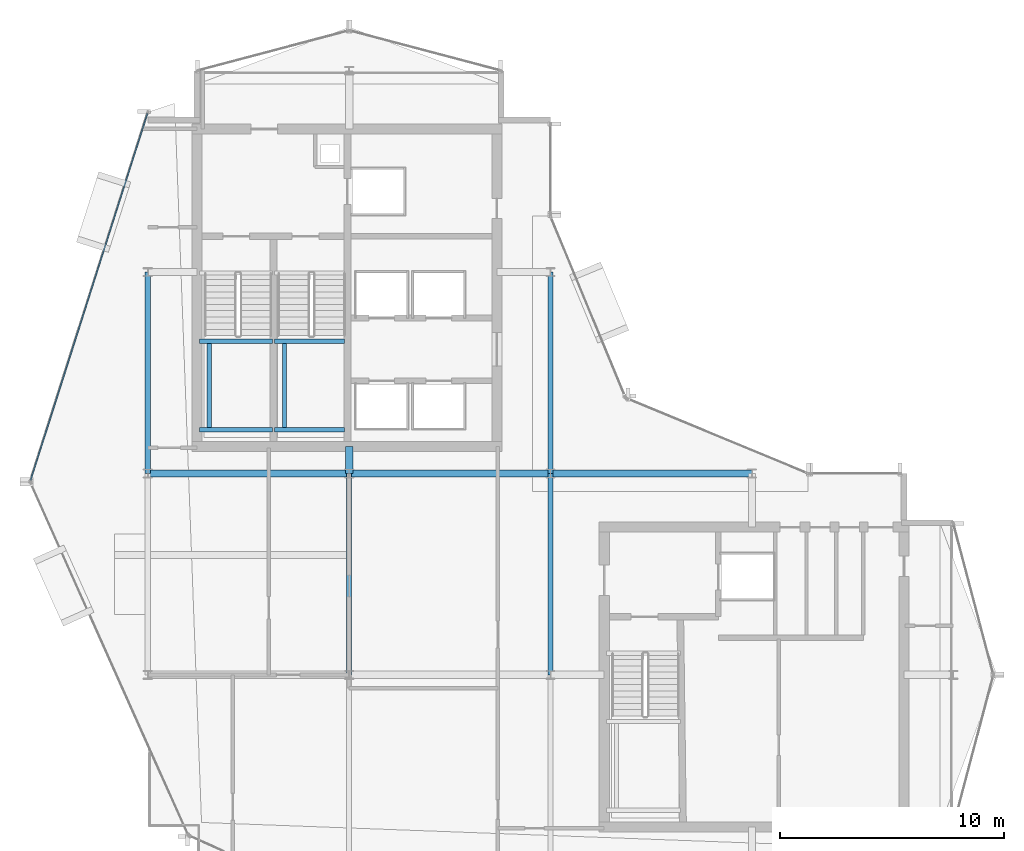
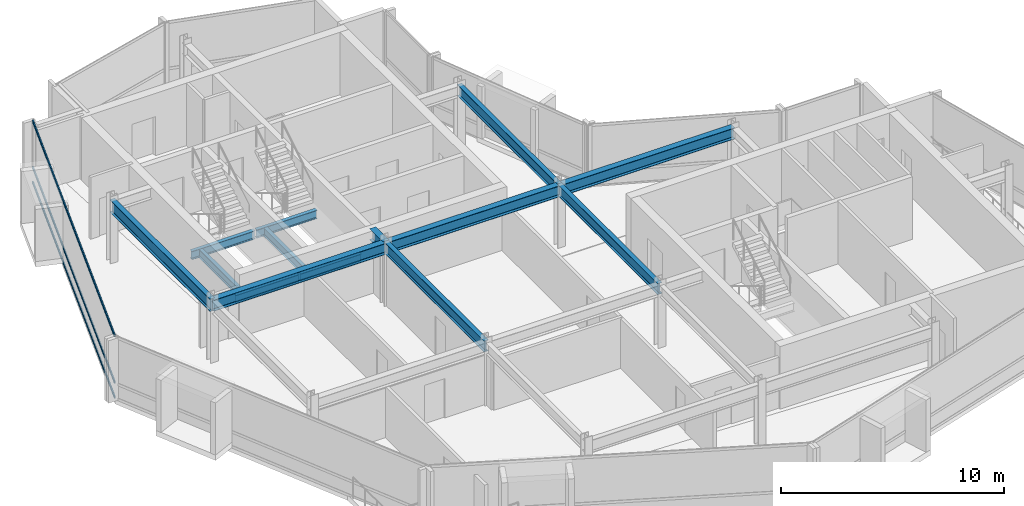
# One storey, part 7 of 19: 14 beams, 3 members, 1 element without a shape of its own.
"""IFC4 building model written with IfcOpenShell, lengths in metres."""

import ifcopenshell
import ifcopenshell.guid

model = None  # the IFC model being written
_history = None  # IfcOwnerHistory: only IFC2X3 demands one
_inside = {}  # id of a spatial element -> (the spatial element, [elements in it])
_under = {}  # id of a project, library or spatial element -> (it, [spatial elements below it])
_declared = {}  # id of a project -> (the project, [libraries it declares])
_typed = {}  # id of a type object -> (the type object, [elements of that type])
_made_of = {}  # id of a material, layer set ... -> (it, [elements and type objects made of it])


def new_model(schema):
    """Start an empty IFC model of exactly this schema.

    Asked for "IFC4X3", IfcOpenShell would pick the latest addendum, in which some entities
    have other attributes; the version numbers below select the first issue.
    IFC2X3 requires an IfcOwnerHistory on every rooted entity: one is made here for all.
    """
    global model, _history
    if schema == "IFC4X3":
        model = ifcopenshell.file(schema_version=(4, 3, 0, 0))
    else:
        model = ifcopenshell.file(schema=schema)
    _inside.clear()
    _under.clear()
    _declared.clear()
    _typed.clear()
    _made_of.clear()
    _history = None
    if model.schema == "IFC2X3":
        org = make("IfcOrganization", Name="unknown")
        user = make(
            "IfcPersonAndOrganization",
            ThePerson=make("IfcPerson", FamilyName="unknown"),
            TheOrganization=org,
        )
        app = make(
            "IfcApplication",
            ApplicationDeveloper=org,
            Version="unknown",
            ApplicationFullName="unknown",
            ApplicationIdentifier="unknown",
        )
        _history = make(
            "IfcOwnerHistory",
            OwningUser=user,
            OwningApplication=app,
            ChangeAction="ADDED",
            CreationDate=0,
        )
    return model


def make(cls, **values):
    """One entity of the class cls with the attributes given. An attribute that is None is left unset."""
    return model.create_entity(
        cls, **{name: value for name, value in values.items() if value is not None}
    )


def rooted(cls, **values):
    """An entity with a GlobalId (a new one), such as an element, a storey or a relation."""
    return make(cls, GlobalId=ifcopenshell.guid.new(), OwnerHistory=_history, **values)


def si_unit(unit_type, name, prefix=None):
    """IfcSIUnit, for example si_unit("LENGTHUNIT", "METRE", prefix="MILLI")."""
    return make("IfcSIUnit", UnitType=unit_type, Prefix=prefix, Name=name)


def assignment(units):
    """IfcUnitAssignment: the units of a project."""
    return None if units is None else make("IfcUnitAssignment", Units=units)


def point(xyz):
    """IfcCartesianPoint."""
    return None if xyz is None else make("IfcCartesianPoint", Coordinates=xyz)


def direction(xyz):
    """IfcDirection."""
    return None if xyz is None else make("IfcDirection", DirectionRatios=xyz)


def frame(location, z_axis=None, x_axis=None):
    """IfcAxis2Placement3D, a coordinate frame: its origin and axes. An axis left out is left unset."""
    return make(
        "IfcAxis2Placement3D",
        Location=point(location),
        Axis=direction(z_axis),
        RefDirection=direction(x_axis),
    )


def frame_2d(location, x_axis=None):
    """IfcAxis2Placement2D, a coordinate frame in the plane: its origin and x axis."""
    return make(
        "IfcAxis2Placement2D", Location=point(location), RefDirection=direction(x_axis)
    )


def origin():
    """The frame at (0, 0, 0) with its axes left unset."""
    return frame((0.0, 0.0, 0.0))


def origin_2d():
    """The frame at (0, 0) in the plane with its x axis left unset."""
    return frame_2d((0.0, 0.0))


def place(relative_to, where):
    """IfcLocalPlacement: puts the frame where relative to a parent placement (None: the world)."""
    return make(
        "IfcLocalPlacement", PlacementRelTo=relative_to, RelativePlacement=where
    )


def context(
    kind, dimensions, precision=None, world=None, true_north=None, identifier=None
):
    """IfcGeometricRepresentationContext, for example the 3D "Model" context."""
    return make(
        "IfcGeometricRepresentationContext",
        ContextIdentifier=identifier,
        ContextType=kind,
        CoordinateSpaceDimension=dimensions,
        Precision=precision,
        WorldCoordinateSystem=world,
        TrueNorth=true_north,
    )


def subcontext(parent, identifier, kind, view, scale=None):
    """IfcGeometricRepresentationSubContext, for example "Body" below "Model"."""
    return make(
        "IfcGeometricRepresentationSubContext",
        ContextIdentifier=identifier,
        ContextType=kind,
        ParentContext=parent,
        TargetScale=scale,
        TargetView=view,
    )


def project(units=None, contexts=None):
    """IfcProject with its units and contexts."""
    return rooted(
        "IfcProject",
        Name="project",
        RepresentationContexts=contexts,
        UnitsInContext=assignment(units),
    )


def spatial(cls, under=None, at=None, **own):
    """A site, building, storey or space (cls), placed at a placement, below another one or the project."""
    s = rooted(cls, ObjectPlacement=at, **own)
    if under is not None:
        _under.setdefault(under.id(), (under, []))[1].append(s)
    return s


def profile(cls, at=None, kind="AREA", **sizes):
    """A parametric profile (cls). Its sizes go by their IFC names, for example OverallWidth=200.0."""
    return make(cls, ProfileType=kind, Position=at, **sizes)


def hollow_rectangle(**sizes):
    """IfcRectangleHollowProfileDef."""
    return profile("IfcRectangleHollowProfileDef", **sizes)


def i_section(**sizes):
    """IfcIShapeProfileDef."""
    return profile("IfcIShapeProfileDef", **sizes)


def extrude(swept, where, along, depth):
    """IfcExtrudedAreaSolid: the profile swept, set in the frame where, extruded along a direction by depth."""
    return make(
        "IfcExtrudedAreaSolid",
        SweptArea=swept,
        Position=where,
        ExtrudedDirection=direction(along),
        Depth=depth,
    )


def shape(context_of_items, identifier, shape_type, items):
    """IfcShapeRepresentation: the items that make up one representation, for example the "Body"."""
    return make(
        "IfcShapeRepresentation",
        ContextOfItems=context_of_items,
        RepresentationIdentifier=identifier,
        RepresentationType=shape_type,
        Items=items,
    )


def material(Name=None, Category=None):
    """IfcMaterial."""
    return make("IfcMaterial", Name=Name, Category=Category)


def layer(
    of_material, thickness, ventilated=None, Name=None, Category=None, Priority=None
):
    """IfcMaterialLayer: one layer of a wall or slab, of a material (None: an air gap)."""
    return make(
        "IfcMaterialLayer",
        Material=of_material,
        LayerThickness=thickness,
        IsVentilated=ventilated,
        Name=Name,
        Category=Category,
        Priority=Priority,
    )


def layer_set(layers, Name=None):
    """IfcMaterialLayerSet."""
    return make("IfcMaterialLayerSet", MaterialLayers=layers, LayerSetName=Name)


def material_profile(
    of_material, cross_section, Name=None, Category=None, Priority=None
):
    """IfcMaterialProfile: a cross section and its material."""
    return make(
        "IfcMaterialProfile",
        Name=Name,
        Material=of_material,
        Profile=cross_section,
        Priority=Priority,
        Category=Category,
    )


def profile_set(profiles, Name=None, composite=None):
    """IfcMaterialProfileSet."""
    return make(
        "IfcMaterialProfileSet",
        Name=Name,
        MaterialProfiles=profiles,
        CompositeProfile=composite,
    )


def made_of(thing, what):
    """Note that an element or type object is made of a material, layer set ...; save() writes the relation."""
    if what is not None:
        _made_of.setdefault(what.id(), (what, []))[1].append(thing)
    return thing


def type_object(cls, material=None, **own):
    """A type object (cls), such as IfcWallType, which elements share."""
    return made_of(rooted(cls, **own), material)


def element(
    cls,
    number,
    at=None,
    inside=None,
    cuts=None,
    type_object=None,
    material=None,
    context=None,
    identifier="Body",
    shape_type=None,
    held_by="IfcProductDefinitionShape",
    body=None,
    shapes=None,
    **own,
):
    """One element of the class cls, such as IfcWall. Its Tag is "e" and its number.

    at: its placement. inside: the storey or other place that contains it. cuts: it is an
    opening in that element (IfcRelVoidsElement). A single representation is given by context,
    identifier, shape_type and body (its items); several are given by shapes. held_by: the class
    of the entity that holds the representations. save() writes the other relations.
    """
    e = rooted(cls, Tag="e%d" % number, ObjectPlacement=at, **own)
    if body is not None:
        shapes = [shape(context, identifier, shape_type, body)]
    if shapes is not None:
        e.Representation = make(held_by, Representations=shapes)
    if inside is not None:
        _inside.setdefault(inside.id(), (inside, []))[1].append(e)
    if cuts is not None:
        rooted(
            "IfcRelVoidsElement", RelatingBuildingElement=cuts, RelatedOpeningElement=e
        )
    if type_object is not None:
        _typed.setdefault(type_object.id(), (type_object, []))[1].append(e)
    return made_of(e, material)


def aggregate(whole, parts):
    """IfcRelAggregates: a whole, such as a stair, and the parts it consists of."""
    return rooted("IfcRelAggregates", RelatingObject=whole, RelatedObjects=parts)


def save(model, path):
    """Write the relations noted so far, then the file.

    IfcRelAggregates (storeys below a building ...), IfcRelContainedInSpatialStructure (elements
    in a storey), IfcRelDefinesByType, IfcRelAssociatesMaterial and IfcRelDeclares: one each for
    every whole, place, type object, material and project.
    """
    for whole, parts in _under.values():
        aggregate(whole, parts)
    for where, things in _inside.values():
        rooted(
            "IfcRelContainedInSpatialStructure",
            RelatedElements=things,
            RelatingStructure=where,
        )
    for kind, things in _typed.values():
        rooted("IfcRelDefinesByType", RelatedObjects=things, RelatingType=kind)
    for what, things in _made_of.values():
        rooted("IfcRelAssociatesMaterial", RelatedObjects=things, RelatingMaterial=what)
    for by, libraries in _declared.values():
        rooted("IfcRelDeclares", RelatingContext=by, RelatedDefinitions=libraries)
    model.write(path)


model = new_model("IFC4")

# Units and contexts
model_context = context("Model", 3, precision=1e-05, world=origin(), true_north=direction((0.0, 1.0)))
body_context = subcontext(model_context, "Body", "Model", "MODEL_VIEW")
ifc_project = project(units=[si_unit("LENGTHUNIT", "METRE"), si_unit("AREAUNIT", "SQUARE_METRE"), si_unit("VOLUMEUNIT", "CUBIC_METRE"), si_unit("PLANEANGLEUNIT", "RADIAN"), si_unit("MASSUNIT", "GRAM", prefix="KILO")], contexts=[model_context])

# Site, building, storey
site_placement = place(None, origin())
site = spatial("IfcSite", under=ifc_project, at=site_placement, CompositionType="ELEMENT")
building_placement = place(site_placement, origin())
building = spatial("IfcBuilding", under=site, at=building_placement, Name="Solvaryn Broadcast Tower", CompositionType="ELEMENT")
storey_placement = place(building_placement, frame((0.0, 0.0, 270.39990234375)))
storey = spatial("IfcBuildingStorey", under=building, at=storey_placement, Name="L68", CompositionType="ELEMENT", Elevation=270.39990234375)

# Beams
ifc_material_1 = material(Name="Steel ASTM A992 Grade 50", Category="steel")
ifc_material_profile_1 = material_profile(ifc_material_1, i_section(OverallWidth=0.323974609375, OverallDepth=0.611083984375, WebThickness=0.0126953125, FlangeThickness=0.01904296875, FilletRadius=0.014892578125, at=origin_2d()))
ifc_profile_set_1 = profile_set([ifc_material_profile_1], Name="Steel ASTM A992 Grade 50")
beam_type_1 = type_object("IfcBeamType", Name="BM-B1-W24X104", PredefinedType="BEAM", material=ifc_profile_set_1)
for number, where, z_axis, x_axis, name in (
    (1, (9.0, 27.0, 3.114501953125), (1.0, 0.0, 0.0), (0.0, 1.0, 0.0), "L68 Primary Beam X (9-18 @ Y=27)"),
    (2, (18.0, 27.0, 3.114501953125), (1.0, 0.0, 0.0), (0.0, 1.0, 0.0), "L68 Primary Beam X (18-27 @ Y=27)"),
    (3, (27.0, 27.0, 3.114501953125), (1.0, 0.0, 0.0), (0.0, 1.0, 0.0), "L68 Primary Beam X (27-36 @ Y=27)"),
):
    element("IfcBeam", number, at=place(storey_placement, frame(where, z_axis=z_axis, x_axis=x_axis)), inside=storey, type_object=beam_type_1, Name=name, PredefinedType="BEAM", context=body_context, shape_type="SweptSolid", body=[
        extrude(i_section(OverallWidth=0.323974609375, OverallDepth=0.611083984375, WebThickness=0.0126953125, FlangeThickness=0.01904296875, FilletRadius=0.014892578125, at=origin_2d()), origin(), (0.0, 0.0, 1.0), 9.0),
    ])
beam_1_placement = place(storey_placement, frame((18.0, 27.0, 3.114501953125), z_axis=(0.0, 1.0, 0.0), x_axis=(-1.0, 0.0, 0.0)))
element("IfcBeam", 4, at=beam_1_placement, inside=storey, type_object=beam_type_1, Name="L68 Core Tie Beam CTW4", PredefinedType="BEAM", context=body_context, shape_type="SweptSolid", body=[
    extrude(i_section(OverallWidth=0.323974609375, OverallDepth=0.611083984375, WebThickness=0.0126953125, FlangeThickness=0.01904296875, FilletRadius=0.014892578125, at=origin_2d()), origin(), (0.0, 0.0, 1.0), 1.199951171875),
])
ifc_material_2 = material(Name="Steel ASTM A992 Grade 50", Category="steel")
ifc_material_profile_2 = material_profile(ifc_material_2, i_section(OverallWidth=0.22802734375, OverallDepth=0.60791015625, WebThickness=0.01123046875, FlangeThickness=0.017333984375, FilletRadius=0.014892578125, at=origin_2d()))
ifc_profile_set_2 = profile_set([ifc_material_profile_2], Name="Steel ASTM A992 Grade 50")
beam_type_2 = type_object("IfcBeamType", Name="BM-B2-W24X76", PredefinedType="BEAM", material=ifc_profile_set_2)
for number, where, z_axis, x_axis, name in (
    (5, (18.0, 18.0, 3.1162109375), (0.0, 1.0, 0.0), (-1.0, 0.0, 0.0), "L68 Primary Beam Y (18-27 @ X=18)"),
    (6, (27.0, 18.0, 3.1162109375), (0.0, 1.0, 0.0), (-1.0, 0.0, 0.0), "L68 Primary Beam Y (18-27 @ X=27)"),
    (7, (27.0, 27.0, 3.1162109375), (0.0, 1.0, 0.0), (-1.0, 0.0, 0.0), "L68 Primary Beam Y (27-36 @ X=27)"),
):
    element("IfcBeam", number, at=place(storey_placement, frame(where, z_axis=z_axis, x_axis=x_axis)), inside=storey, type_object=beam_type_2, Name=name, PredefinedType="BEAM", context=body_context, shape_type="SweptSolid", body=[
        extrude(i_section(OverallWidth=0.22802734375, OverallDepth=0.60791015625, WebThickness=0.01123046875, FlangeThickness=0.017333984375, FilletRadius=0.014892578125, at=origin_2d()), origin(), (0.0, 0.0, 1.0), 9.0),
    ])
ifc_material_3 = material(Name="Steel ASTM A992 Grade 50", Category="steel")
ifc_material_profile_3 = material_profile(ifc_material_3, i_section(OverallWidth=0.18994140625, OverallDepth=0.45703125, WebThickness=0.009033203125, FlangeThickness=0.014404296875, FilletRadius=0.011962890625, at=origin_2d()))
ifc_profile_set_3 = profile_set([ifc_material_profile_3], Name="Steel ASTM A992 Grade 50")
beam_type_3 = type_object("IfcBeamType", Name="BM-B4-W18X50", PredefinedType="BEAM", material=ifc_profile_set_3)
for number, where, z_axis, x_axis, name in (
    (8, (11.300048828125, 28.949951171875, 1.421630859375), (1.0, 0.0, 0.0), (0.0, 1.0, 0.0), "L68 ST1 Landing Support Beam 1A"),
    (9, (11.300048828125, 32.909912109375, 1.421630859375), (1.0, 0.0, 0.0), (0.0, 1.0, 0.0), "L68 ST1 Landing Support Beam 1B"),
):
    element("IfcBeam", number, at=place(storey_placement, frame(where, z_axis=z_axis, x_axis=x_axis)), inside=storey, type_object=beam_type_3, Name=name, PredefinedType="BEAM", context=body_context, shape_type="SweptSolid", body=[
        extrude(i_section(OverallWidth=0.18994140625, OverallDepth=0.45703125, WebThickness=0.009033203125, FlangeThickness=0.014404296875, FilletRadius=0.011962890625, at=origin_2d()), origin(), (0.0, 0.0, 1.0), 3.280029296875),
    ])
beam_2_placement = place(storey_placement, frame((11.75, 28.949951171875, 1.421630859375), z_axis=(0.0, 1.0, 0.0), x_axis=(-1.0, 0.0, 0.0)))
element("IfcBeam", 10, at=beam_2_placement, inside=storey, type_object=beam_type_3, Name="L68 ST1 Landing Cross Stringer 1C", PredefinedType="BEAM", context=body_context, shape_type="SweptSolid", body=[
    extrude(i_section(OverallWidth=0.18994140625, OverallDepth=0.45703125, WebThickness=0.009033203125, FlangeThickness=0.014404296875, FilletRadius=0.011962890625, at=origin_2d()), origin(), (0.0, 0.0, 1.0), 3.9599609375),
])
for number, where, z_axis, x_axis, name in (
    (11, (14.659912109375, 28.949951171875, 1.421630859375), (1.0, 0.0, 0.0), (0.0, 1.0, 0.0), "L68 ST2 Landing Support Beam 1A"),
    (12, (14.659912109375, 32.909912109375, 1.421630859375), (1.0, 0.0, 0.0), (0.0, 1.0, 0.0), "L68 ST2 Landing Support Beam 1B"),
):
    element("IfcBeam", number, at=place(storey_placement, frame(where, z_axis=z_axis, x_axis=x_axis)), inside=storey, type_object=beam_type_3, Name=name, PredefinedType="BEAM", context=body_context, shape_type="SweptSolid", body=[
        extrude(i_section(OverallWidth=0.18994140625, OverallDepth=0.45703125, WebThickness=0.009033203125, FlangeThickness=0.014404296875, FilletRadius=0.011962890625, at=origin_2d()), origin(), (0.0, 0.0, 1.0), 3.14013671875),
    ])
beam_3_placement = place(storey_placement, frame((15.110107421875, 28.949951171875, 1.421630859375), z_axis=(0.0, 1.0, 0.0), x_axis=(-1.0, 0.0, 0.0)))
element("IfcBeam", 13, at=beam_3_placement, inside=storey, type_object=beam_type_3, Name="L68 ST2 Landing Cross Stringer 1C", PredefinedType="BEAM", context=body_context, shape_type="SweptSolid", body=[
    extrude(i_section(OverallWidth=0.18994140625, OverallDepth=0.45703125, WebThickness=0.009033203125, FlangeThickness=0.014404296875, FilletRadius=0.011962890625, at=origin_2d()), origin(), (0.0, 0.0, 1.0), 3.9599609375),
])
ifc_material_4 = material(Name="Steel ASTM A992 Grade 50", Category="steel")
ifc_material_profile_4 = material_profile(ifc_material_4, i_section(OverallWidth=0.256103515625, OverallDepth=0.693115234375, WebThickness=0.014404296875, FlangeThickness=0.023681640625, FilletRadius=0.01611328125, at=origin_2d()))
ifc_profile_set_4 = profile_set([ifc_material_profile_4], Name="Steel ASTM A992 Grade 50")
beam_type_4 = type_object("IfcBeamType", Name="BM-SP3-W27X114", PredefinedType="USERDEFINED", material=ifc_profile_set_4)
beam_4_placement = place(storey_placement, frame((9.0, 27.0, 3.073486328125), z_axis=(0.0, 1.0, 0.0), x_axis=(-1.0, 0.0, 0.0)))
element("IfcBeam", 14, at=beam_4_placement, inside=storey, type_object=beam_type_4, Name="L68 Spandrel Beam Y (27-36 @ X=9)", ObjectType="SPANDREL", PredefinedType="USERDEFINED", context=body_context, shape_type="SweptSolid", body=[
    extrude(i_section(OverallWidth=0.256103515625, OverallDepth=0.693115234375, WebThickness=0.014404296875, FlangeThickness=0.023681640625, FilletRadius=0.01611328125, at=origin_2d()), origin(), (0.0, 0.0, 1.0), 9.0),
])

# Curtain wall, members
ifc_material_5 = material(Name="Aluminium and Terracotta Unitised Curtain Wall", Category="masonry")
ifc_layer = layer(ifc_material_5, 0.199951171875)
ifc_layer_set = layer_set([ifc_layer], Name="CW-SYS2-LOWMID")
curtain_wall_type = type_object("IfcCurtainWallType", Name="CW-SYS2-LOWMID", PredefinedType="NOTDEFINED", material=ifc_layer_set)
curtain_wall_placement = place(storey_placement, origin())
curtain_wall = element("IfcCurtainWall", 15, at=curtain_wall_placement, inside=storey, type_object=curtain_wall_type, Name="L68 Curtain Wall DR1", PredefinedType="NOTDEFINED")
ifc_material_6 = material(Name="Anodised Aluminium 6063-T6", Category="aluminium")
ifc_material_profile_5 = material_profile(ifc_material_6, hollow_rectangle(XDim=0.06494140625, YDim=0.14990234375, WallThickness=0.00390625, InnerFilletRadius=0.00390625, OuterFilletRadius=0.008056640625, at=origin_2d()))
ifc_profile_set_5 = profile_set([ifc_material_profile_5], Name="Anodised Aluminium 6063-T6")
member_type = type_object("IfcMemberType", Name="CW-TRN-150", PredefinedType="USERDEFINED", material=ifc_profile_set_5)
member_1_placement = place(storey_placement, frame((8.981689453125, 43.091796875, 0.030029296875), z_axis=(-0.303616405252, -0.952794352661, 0.0), x_axis=(0.952794352661, -0.303616405252, 0.0)))
member_1 = element("IfcMember", 16, at=member_1_placement, type_object=member_type, Name="CWS2 transom 1.1", ObjectType="TRANSOM", PredefinedType="USERDEFINED", context=body_context, shape_type="SweptSolid", body=[
    extrude(hollow_rectangle(XDim=0.06494140625, YDim=0.14990234375, WallThickness=0.00390625, InnerFilletRadius=0.00390625, OuterFilletRadius=0.008056640625, at=origin_2d()), origin(), (0.0, 0.0, 1.0), 17.211181640625),
])
member_2_placement = place(storey_placement, frame((8.981689453125, 43.091796875, 0.85009765625), z_axis=(-0.303616405252, -0.952794352661, 0.0), x_axis=(0.952794352661, -0.303616405252, 0.0)))
member_2 = element("IfcMember", 17, at=member_2_placement, type_object=member_type, Name="CWS2 transom 1.2", ObjectType="TRANSOM", PredefinedType="USERDEFINED", context=body_context, shape_type="SweptSolid", body=[
    extrude(hollow_rectangle(XDim=0.06494140625, YDim=0.14990234375, WallThickness=0.00390625, InnerFilletRadius=0.00390625, OuterFilletRadius=0.008056640625, at=origin_2d()), origin(), (0.0, 0.0, 1.0), 17.211181640625),
])
member_3_placement = place(storey_placement, frame((8.981689453125, 43.091796875, 3.39013671875), z_axis=(-0.303616405252, -0.952794352661, 0.0), x_axis=(0.952794352661, -0.303616405252, 0.0)))
member_3 = element("IfcMember", 18, at=member_3_placement, type_object=member_type, Name="CWS2 transom 1.3", ObjectType="TRANSOM", PredefinedType="USERDEFINED", context=body_context, shape_type="SweptSolid", body=[
    extrude(hollow_rectangle(XDim=0.06494140625, YDim=0.14990234375, WallThickness=0.00390625, InnerFilletRadius=0.00390625, OuterFilletRadius=0.008056640625, at=origin_2d()), origin(), (0.0, 0.0, 1.0), 17.211181640625),
])
aggregate(curtain_wall, [member_1, member_2, member_3])

save(model, "model.ifc")
